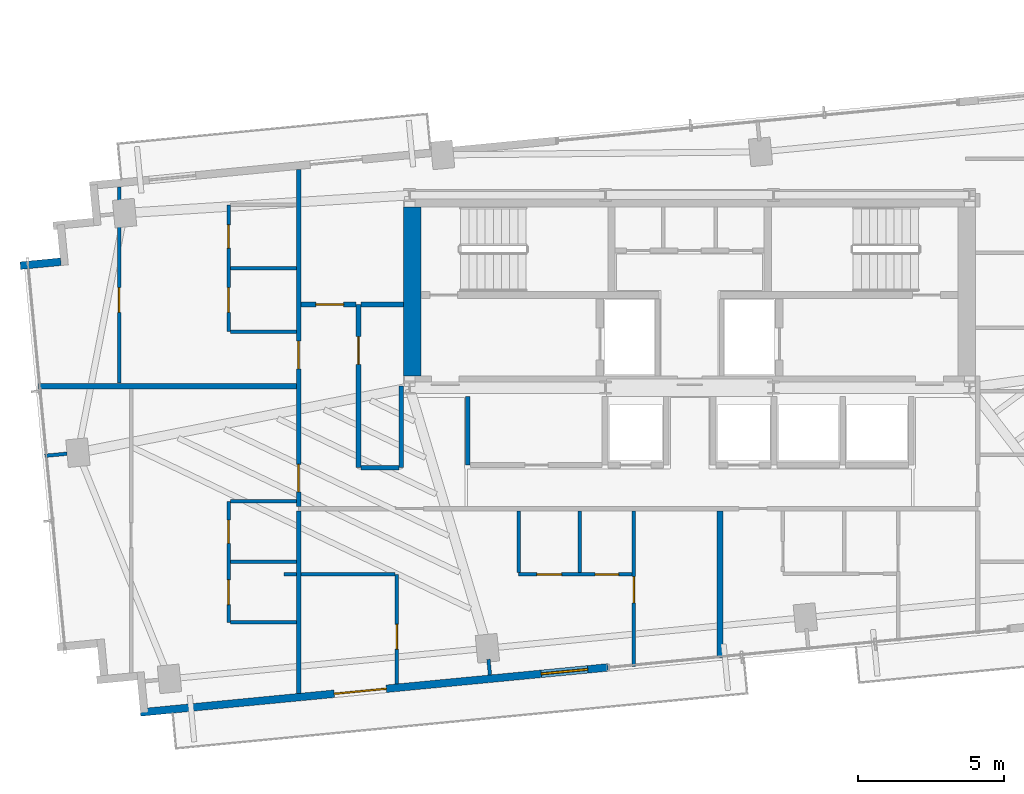
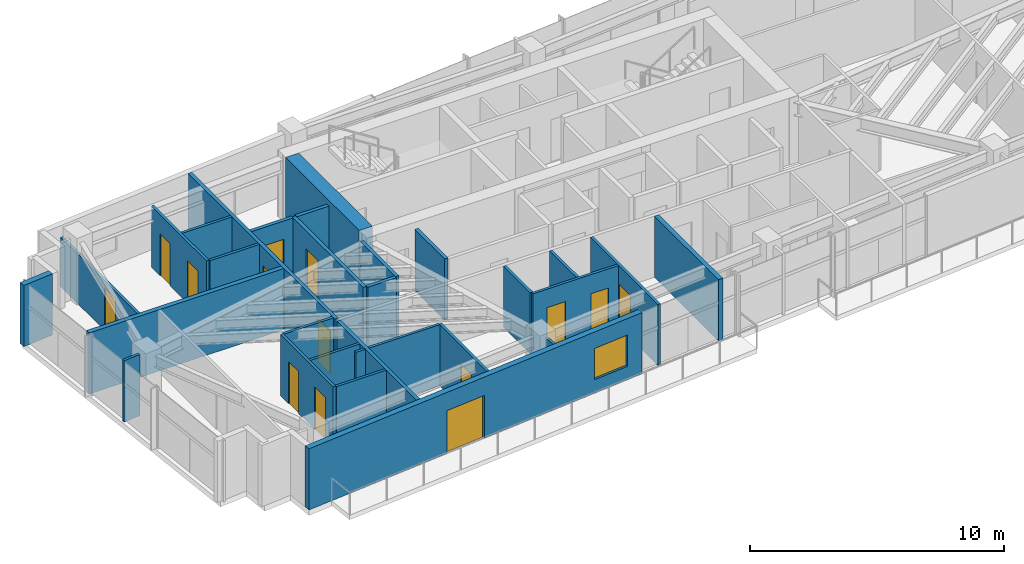
# One storey, part 13 of 18: 30 walls, 14 doors, 1 window, 15 openings.
"""IFC4 building model written with IfcOpenShell, lengths in metres."""

import ifcopenshell
import ifcopenshell.guid

model = None  # the IFC model being written
_history = None  # IfcOwnerHistory: only IFC2X3 demands one
_inside = {}  # id of a spatial element -> (the spatial element, [elements in it])
_under = {}  # id of a project, library or spatial element -> (it, [spatial elements below it])
_declared = {}  # id of a project -> (the project, [libraries it declares])
_typed = {}  # id of a type object -> (the type object, [elements of that type])
_made_of = {}  # id of a material, layer set ... -> (it, [elements and type objects made of it])


def new_model(schema):
    """Start an empty IFC model of exactly this schema.

    Asked for "IFC4X3", IfcOpenShell would pick the latest addendum, in which some entities
    have other attributes; the version numbers below select the first issue.
    IFC2X3 requires an IfcOwnerHistory on every rooted entity: one is made here for all.
    """
    global model, _history
    if schema == "IFC4X3":
        model = ifcopenshell.file(schema_version=(4, 3, 0, 0))
    else:
        model = ifcopenshell.file(schema=schema)
    _inside.clear()
    _under.clear()
    _declared.clear()
    _typed.clear()
    _made_of.clear()
    _history = None
    if model.schema == "IFC2X3":
        org = make("IfcOrganization", Name="unknown")
        user = make(
            "IfcPersonAndOrganization",
            ThePerson=make("IfcPerson", FamilyName="unknown"),
            TheOrganization=org,
        )
        app = make(
            "IfcApplication",
            ApplicationDeveloper=org,
            Version="unknown",
            ApplicationFullName="unknown",
            ApplicationIdentifier="unknown",
        )
        _history = make(
            "IfcOwnerHistory",
            OwningUser=user,
            OwningApplication=app,
            ChangeAction="ADDED",
            CreationDate=0,
        )
    return model


def make(cls, **values):
    """One entity of the class cls with the attributes given. An attribute that is None is left unset."""
    return model.create_entity(
        cls, **{name: value for name, value in values.items() if value is not None}
    )


def rooted(cls, **values):
    """An entity with a GlobalId (a new one), such as an element, a storey or a relation."""
    return make(cls, GlobalId=ifcopenshell.guid.new(), OwnerHistory=_history, **values)


def si_unit(unit_type, name, prefix=None):
    """IfcSIUnit, for example si_unit("LENGTHUNIT", "METRE", prefix="MILLI")."""
    return make("IfcSIUnit", UnitType=unit_type, Prefix=prefix, Name=name)


def assignment(units):
    """IfcUnitAssignment: the units of a project."""
    return None if units is None else make("IfcUnitAssignment", Units=units)


def point(xyz):
    """IfcCartesianPoint."""
    return None if xyz is None else make("IfcCartesianPoint", Coordinates=xyz)


def direction(xyz):
    """IfcDirection."""
    return None if xyz is None else make("IfcDirection", DirectionRatios=xyz)


def frame(location, z_axis=None, x_axis=None):
    """IfcAxis2Placement3D, a coordinate frame: its origin and axes. An axis left out is left unset."""
    return make(
        "IfcAxis2Placement3D",
        Location=point(location),
        Axis=direction(z_axis),
        RefDirection=direction(x_axis),
    )


def frame_2d(location, x_axis=None):
    """IfcAxis2Placement2D, a coordinate frame in the plane: its origin and x axis."""
    return make(
        "IfcAxis2Placement2D", Location=point(location), RefDirection=direction(x_axis)
    )


def origin():
    """The frame at (0, 0, 0) with its axes left unset."""
    return frame((0.0, 0.0, 0.0))


def place(relative_to, where):
    """IfcLocalPlacement: puts the frame where relative to a parent placement (None: the world)."""
    return make(
        "IfcLocalPlacement", PlacementRelTo=relative_to, RelativePlacement=where
    )


def context(
    kind, dimensions, precision=None, world=None, true_north=None, identifier=None
):
    """IfcGeometricRepresentationContext, for example the 3D "Model" context."""
    return make(
        "IfcGeometricRepresentationContext",
        ContextIdentifier=identifier,
        ContextType=kind,
        CoordinateSpaceDimension=dimensions,
        Precision=precision,
        WorldCoordinateSystem=world,
        TrueNorth=true_north,
    )


def subcontext(parent, identifier, kind, view, scale=None):
    """IfcGeometricRepresentationSubContext, for example "Body" below "Model"."""
    return make(
        "IfcGeometricRepresentationSubContext",
        ContextIdentifier=identifier,
        ContextType=kind,
        ParentContext=parent,
        TargetScale=scale,
        TargetView=view,
    )


def project(units=None, contexts=None):
    """IfcProject with its units and contexts."""
    return rooted(
        "IfcProject",
        Name="project",
        RepresentationContexts=contexts,
        UnitsInContext=assignment(units),
    )


def spatial(cls, under=None, at=None, **own):
    """A site, building, storey or space (cls), placed at a placement, below another one or the project."""
    s = rooted(cls, ObjectPlacement=at, **own)
    if under is not None:
        _under.setdefault(under.id(), (under, []))[1].append(s)
    return s


def profile(cls, at=None, kind="AREA", **sizes):
    """A parametric profile (cls). Its sizes go by their IFC names, for example OverallWidth=200.0."""
    return make(cls, ProfileType=kind, Position=at, **sizes)


def rectangle(**sizes):
    """IfcRectangleProfileDef."""
    return profile("IfcRectangleProfileDef", **sizes)


def extrude(swept, where, along, depth):
    """IfcExtrudedAreaSolid: the profile swept, set in the frame where, extruded along a direction by depth."""
    return make(
        "IfcExtrudedAreaSolid",
        SweptArea=swept,
        Position=where,
        ExtrudedDirection=direction(along),
        Depth=depth,
    )


def shape(context_of_items, identifier, shape_type, items):
    """IfcShapeRepresentation: the items that make up one representation, for example the "Body"."""
    return make(
        "IfcShapeRepresentation",
        ContextOfItems=context_of_items,
        RepresentationIdentifier=identifier,
        RepresentationType=shape_type,
        Items=items,
    )


def source(mapping_origin, context_of_items, identifier, shape_type, items):
    """IfcRepresentationMap: a shape defined once, which mapped items show again and again."""
    return make(
        "IfcRepresentationMap",
        MappingOrigin=mapping_origin,
        MappedRepresentation=shape(context_of_items, identifier, shape_type, items),
    )


def transform(
    local_origin,
    x_axis=None,
    y_axis=None,
    z_axis=None,
    scale=None,
    scale2=None,
    scale3=None,
    uniform=True,
):
    """IfcCartesianTransformationOperator3D, or its non-uniform kind. x_axis, y_axis, z_axis: its Axis1, 2, 3."""
    if uniform:
        return make(
            "IfcCartesianTransformationOperator3D",
            Axis1=direction(x_axis),
            Axis2=direction(y_axis),
            LocalOrigin=point(local_origin),
            Scale=scale,
            Axis3=direction(z_axis),
        )
    return make(
        "IfcCartesianTransformationOperator3DnonUniform",
        Axis1=direction(x_axis),
        Axis2=direction(y_axis),
        LocalOrigin=point(local_origin),
        Scale=scale,
        Axis3=direction(z_axis),
        Scale2=scale2,
        Scale3=scale3,
    )


def mapped(mapping_source, mapping_target):
    """IfcMappedItem: shows the shape of a source again, moved by a transform."""
    return make(
        "IfcMappedItem", MappingSource=mapping_source, MappingTarget=mapping_target
    )


def material(Name=None, Category=None):
    """IfcMaterial."""
    return make("IfcMaterial", Name=Name, Category=Category)


def layer(
    of_material, thickness, ventilated=None, Name=None, Category=None, Priority=None
):
    """IfcMaterialLayer: one layer of a wall or slab, of a material (None: an air gap)."""
    return make(
        "IfcMaterialLayer",
        Material=of_material,
        LayerThickness=thickness,
        IsVentilated=ventilated,
        Name=Name,
        Category=Category,
        Priority=Priority,
    )


def layer_set(layers, Name=None):
    """IfcMaterialLayerSet."""
    return make("IfcMaterialLayerSet", MaterialLayers=layers, LayerSetName=Name)


def made_of(thing, what):
    """Note that an element or type object is made of a material, layer set ...; save() writes the relation."""
    if what is not None:
        _made_of.setdefault(what.id(), (what, []))[1].append(thing)
    return thing


def type_object(cls, material=None, **own):
    """A type object (cls), such as IfcWallType, which elements share."""
    return made_of(rooted(cls, **own), material)


def type_shapes(of_type, sources):
    """Give a type object the sources (RepresentationMaps) that its elements show as mapped items."""
    of_type.RepresentationMaps = sources


def element(
    cls,
    number,
    at=None,
    inside=None,
    cuts=None,
    type_object=None,
    material=None,
    context=None,
    identifier="Body",
    shape_type=None,
    held_by="IfcProductDefinitionShape",
    body=None,
    shapes=None,
    **own,
):
    """One element of the class cls, such as IfcWall. Its Tag is "e" and its number.

    at: its placement. inside: the storey or other place that contains it. cuts: it is an
    opening in that element (IfcRelVoidsElement). A single representation is given by context,
    identifier, shape_type and body (its items); several are given by shapes. held_by: the class
    of the entity that holds the representations. save() writes the other relations.
    """
    e = rooted(cls, Tag="e%d" % number, ObjectPlacement=at, **own)
    if body is not None:
        shapes = [shape(context, identifier, shape_type, body)]
    if shapes is not None:
        e.Representation = make(held_by, Representations=shapes)
    if inside is not None:
        _inside.setdefault(inside.id(), (inside, []))[1].append(e)
    if cuts is not None:
        rooted(
            "IfcRelVoidsElement", RelatingBuildingElement=cuts, RelatedOpeningElement=e
        )
    if type_object is not None:
        _typed.setdefault(type_object.id(), (type_object, []))[1].append(e)
    return made_of(e, material)


def fill(opening, filler):
    """IfcRelFillsElement: the door or window that sits in an opening."""
    return rooted(
        "IfcRelFillsElement",
        RelatingOpeningElement=opening,
        RelatedBuildingElement=filler,
    )


def aggregate(whole, parts):
    """IfcRelAggregates: a whole, such as a stair, and the parts it consists of."""
    return rooted("IfcRelAggregates", RelatingObject=whole, RelatedObjects=parts)


def save(model, path):
    """Write the relations noted so far, then the file.

    IfcRelAggregates (storeys below a building ...), IfcRelContainedInSpatialStructure (elements
    in a storey), IfcRelDefinesByType, IfcRelAssociatesMaterial and IfcRelDeclares: one each for
    every whole, place, type object, material and project.
    """
    for whole, parts in _under.values():
        aggregate(whole, parts)
    for where, things in _inside.values():
        rooted(
            "IfcRelContainedInSpatialStructure",
            RelatedElements=things,
            RelatingStructure=where,
        )
    for kind, things in _typed.values():
        rooted("IfcRelDefinesByType", RelatedObjects=things, RelatingType=kind)
    for what, things in _made_of.values():
        rooted("IfcRelAssociatesMaterial", RelatedObjects=things, RelatingMaterial=what)
    for by, libraries in _declared.values():
        rooted("IfcRelDeclares", RelatingContext=by, RelatedDefinitions=libraries)
    model.write(path)


model = new_model("IFC4")

# Units and contexts
model_context = context("Model", 3, precision=1e-05, world=origin(), true_north=direction((0.0, 1.0)))
body_context = subcontext(model_context, "Body", "Model", "MODEL_VIEW")
ifc_project = project(units=[si_unit("LENGTHUNIT", "METRE"), si_unit("AREAUNIT", "SQUARE_METRE"), si_unit("VOLUMEUNIT", "CUBIC_METRE"), si_unit("PLANEANGLEUNIT", "RADIAN"), si_unit("MASSUNIT", "GRAM", prefix="KILO")], contexts=[model_context])

# Site, building, storey
site_placement = place(None, origin())
site = spatial("IfcSite", under=ifc_project, at=site_placement, CompositionType="ELEMENT")
building_placement = place(site_placement, origin())
building = spatial("IfcBuilding", under=site, at=building_placement, Name="Astriad Promenade Condominiums", CompositionType="ELEMENT")
storey_placement = place(building_placement, frame((0.0, 0.0, 179.39990234375)))
storey = spatial("IfcBuildingStorey", under=building, at=storey_placement, Name="L51", CompositionType="ELEMENT", Elevation=179.39990234375)

# Walls
ifc_material_1 = material(Name="Concrete C50/60", Category="concrete")
ifc_layer_1 = layer(ifc_material_1, 0.60009765625)
ifc_layer_set_1 = layer_set([ifc_layer_1], Name="Concrete C50/60")
wall_type_1 = type_object("IfcWallType", Name="CW-SHEAR-600", PredefinedType="SHEAR", material=ifc_layer_set_1)
wall_1_placement = place(storey_placement, frame((26.5, 17.802001953125, 0.0), z_axis=(0.0, 0.0, 1.0), x_axis=(0.0, 1.0, 0.0)))
element("IfcWall", 1, at=wall_1_placement, inside=storey, type_object=wall_type_1, Name="CW-CORE-W-L51", PredefinedType="SHEAR", context=body_context, shape_type="SweptSolid", body=[
    extrude(rectangle(XDim=5.7958984375, YDim=0.60009765625, at=frame_2d((2.89794921875, 0.0))), origin(), (0.0, 0.0, 1.0), 3.2001953125),
])
ifc_material_2 = material(Name="Fire-Rated Gypsum Partition")
ifc_layer_2 = layer(ifc_material_2, 0.159912109375)
ifc_layer_set_2 = layer_set([ifc_layer_2], Name="Fire-Rated Gypsum Partition")
wall_type_2 = type_object("IfcWallType", Name="WALL-CORR-160", PredefinedType="PARTITIONING", material=ifc_layer_set_2)
wall_2_placement = place(storey_placement, frame((28.39990234375, 14.75, 0.0), z_axis=(0.0, 0.0, 1.0), x_axis=(0.0, 1.0, 0.0)))
element("IfcWall", 2, at=wall_2_placement, inside=storey, type_object=wall_type_2, Name="REC-L-W-L51", PredefinedType="PARTITIONING", context=body_context, shape_type="SweptSolid", body=[
    extrude(rectangle(XDim=2.35009765625, YDim=0.159912109375, at=frame_2d((1.175048828125, 0.0))), origin(), (0.0, 0.0, 1.0), 2.940185546875),
])
wall_3_placement = place(storey_placement, frame((22.60009765625, 6.92236328125, 0.0), z_axis=(0.0, 0.0, 1.0), x_axis=(0.0, 1.0, 0.0)))
element("IfcWall", 3, at=wall_3_placement, inside=storey, type_object=wall_type_2, Name="PT-COR-W-L51", PredefinedType="PARTITIONING", context=body_context, shape_type="SweptSolid", body=[
    extrude(rectangle(XDim=6.24560546875, YDim=0.159912109375, at=frame_2d((3.122802734375, 0.0))), origin(), (0.0, 0.0, 1.0), 2.940185546875),
])

# Wall, openings, doors
wall_4_placement = place(storey_placement, frame((22.60009765625, 13.33203125, 0.0), z_axis=(0.0, 0.0, 1.0), x_axis=(0.0, 1.0, 0.0)))
wall_4 = element("IfcWall", 4, at=wall_4_placement, inside=storey, type_object=wall_type_2, Name="PT-COR-W-L51-S2", PredefinedType="PARTITIONING", context=body_context, shape_type="SweptSolid", body=[
    extrude(rectangle(XDim=11.548828125, YDim=0.159912109375, at=frame_2d((5.7744140625, 0.0))), origin(), (0.0, 0.0, 1.0), 2.940185546875),
])
opening_1_placement = place(wall_4_placement, frame((0.492919921875, 0.0, 0.0)))
opening_1 = element("IfcOpeningElement", 5, at=opening_1_placement, cuts=wall_4, Name="Opening FD60-APT-095", PredefinedType="OPENING", context=body_context, shape_type="SweptSolid", body=[
    extrude(rectangle(XDim=0.949951171875, YDim=2.06005859375, at=frame_2d((0.47509765625, 1.030029296875))), frame((0.0, 0.08984375, 0.0), z_axis=(0.0, -1.0, 0.0), x_axis=(1.0, 0.0, 0.0)), (0.0, 0.0, 1.0), 0.179931640625),
])
opening_2_placement = place(wall_4_placement, frame((4.712890625, 0.0, 0.0)))
opening_2 = element("IfcOpeningElement", 6, at=opening_2_placement, cuts=wall_4, Name="Opening FD60-APT-095", PredefinedType="OPENING", context=body_context, shape_type="SweptSolid", body=[
    extrude(rectangle(XDim=0.949951171875, YDim=2.06005859375, at=frame_2d((0.47509765625, 1.030029296875))), frame((0.0, 0.08984375, 0.0), z_axis=(0.0, -1.0, 0.0), x_axis=(1.0, 0.0, 0.0)), (0.0, 0.0, 1.0), 0.179931640625),
])
ifc_material_3 = material(Name="Solid-Core Acoustic Timber Residence Entry Door", Category="wood")
door_type_1 = type_object("IfcDoorType", Name="FD60-APT-095", OperationType="NOTDEFINED", PredefinedType="DOOR", material=ifc_material_3)
shared_shape_1 = source(origin(), body_context, "Body", "SweptSolid", [
    extrude(rectangle(XDim=0.949951171875, YDim=2.06005859375, at=frame_2d((0.47509765625, 1.030029296875))), frame((0.0, 0.02490234375, 0.0), z_axis=(0.0, -1.0, 0.0), x_axis=(1.0, 0.0, 0.0)), (0.0, 0.0, 1.0), 0.050048828125),
])
type_shapes(door_type_1, [shared_shape_1])
door_1_placement = place(opening_1_placement, origin())
door_1 = element("IfcDoor", 7, at=door_1_placement, inside=storey, type_object=door_type_1, Name="D-ENT-L51-W1", OperationType="SINGLE_SWING_RIGHT", OverallHeight=2.06005859375, OverallWidth=0.949951171875, PredefinedType="DOOR", context=body_context, shape_type="MappedRepresentation", body=[
    mapped(shared_shape_1, transform((0.0, 0.0, 0.0), scale=1.0)),
])
fill(opening_1, door_1)
door_2_placement = place(opening_2_placement, origin())
door_2 = element("IfcDoor", 8, at=door_2_placement, inside=storey, type_object=door_type_1, Name="D-ENT-L51-W2", OperationType="SINGLE_SWING_RIGHT", OverallHeight=2.06005859375, OverallWidth=0.949951171875, PredefinedType="DOOR", context=body_context, shape_type="MappedRepresentation", body=[
    mapped(shared_shape_1, transform((0.0, 0.0, 0.0), scale=1.0)),
])
fill(opening_2, door_2)

# Wall, opening, door
wall_5_placement = place(storey_placement, frame((24.64990234375, 14.659912109375, 0.0), z_axis=(0.0, 0.0, 1.0), x_axis=(0.0, 1.0, 0.0)))
wall_5 = element("IfcWall", 9, at=wall_5_placement, inside=storey, type_object=wall_type_2, Name="PT-HK-E-L51", PredefinedType="PARTITIONING", context=body_context, shape_type="SweptSolid", body=[
    extrude(rectangle(XDim=5.590087890625, YDim=0.159912109375, at=frame_2d((2.794921875, 0.0))), origin(), (0.0, 0.0, 1.0), 2.940185546875),
])
opening_3_placement = place(wall_5_placement, frame((3.5400390625, 0.0, 0.0)))
opening_3 = element("IfcOpeningElement", 10, at=opening_3_placement, cuts=wall_5, Name="Opening FD60-APT-095", PredefinedType="OPENING", context=body_context, shape_type="SweptSolid", body=[
    extrude(rectangle(XDim=0.949951171875, YDim=2.06005859375, at=frame_2d((0.47509765625, 1.030029296875))), frame((0.0, 0.08984375, 0.0), z_axis=(0.0, -1.0, 0.0), x_axis=(1.0, 0.0, 0.0)), (0.0, 0.0, 1.0), 0.179931640625),
])
door_3_placement = place(opening_3_placement, origin())
door_3 = element("IfcDoor", 11, at=door_3_placement, inside=storey, type_object=door_type_1, Name="D-HKA-L51", OperationType="SINGLE_SWING_LEFT", OverallHeight=2.06005859375, OverallWidth=0.949951171875, PredefinedType="DOOR", context=body_context, shape_type="MappedRepresentation", body=[
    mapped(shared_shape_1, transform((0.0, 0.0, 0.0), scale=1.0)),
])
fill(opening_3, door_3)

wall_6_placement = place(storey_placement, frame((22.681884765625, 20.25, 0.0), z_axis=(0.0, 0.0, 1.0), x_axis=(1.0, 0.0, 0.0)))
wall_6 = element("IfcWall", 12, at=wall_6_placement, inside=storey, type_object=wall_type_2, Name="PT-HK-N-L51", PredefinedType="PARTITIONING", context=body_context, shape_type="SweptSolid", body=[
    extrude(rectangle(XDim=1.88623046875, YDim=0.159912109375, at=frame_2d((0.943115234375, 0.0))), origin(), (0.0, 0.0, 1.0), 2.940185546875),
])
opening_4_placement = place(wall_6_placement, frame((0.508056640625, 0.0, 0.0)))
opening_4 = element("IfcOpeningElement", 13, at=opening_4_placement, cuts=wall_6, Name="Opening FD60-APT-095", PredefinedType="OPENING", context=body_context, shape_type="SweptSolid", body=[
    extrude(rectangle(XDim=0.949951171875, YDim=2.06005859375, at=frame_2d((0.47509765625, 1.030029296875))), frame((0.0, 0.08984375, 0.0), z_axis=(0.0, -1.0, 0.0), x_axis=(1.0, 0.0, 0.0)), (0.0, 0.0, 1.0), 0.179931640625),
])
door_4_placement = place(opening_4_placement, origin())
door_4 = element("IfcDoor", 14, at=door_4_placement, inside=storey, type_object=door_type_1, Name="D-HKB-L51", OperationType="SINGLE_SWING_RIGHT", OverallHeight=2.06005859375, OverallWidth=0.949951171875, PredefinedType="DOOR", context=body_context, shape_type="MappedRepresentation", body=[
    mapped(shared_shape_1, transform((0.0, 0.0, 0.0), scale=1.0)),
])
fill(opening_4, door_4)

# Walls
wall_7_placement = place(storey_placement, frame((24.73193359375, 20.25, 0.0), z_axis=(0.0, 0.0, 1.0), x_axis=(1.0, 0.0, 0.0)))
element("IfcWall", 15, at=wall_7_placement, inside=storey, type_object=wall_type_2, Name="PT-HK-N-L51-S2", PredefinedType="PARTITIONING", context=body_context, shape_type="SweptSolid", body=[
    extrude(rectangle(XDim=1.466064453125, YDim=0.159912109375, at=frame_2d((0.73291015625, 0.0))), origin(), (0.0, 0.0, 1.0), 2.940185546875),
])
wall_8_placement = place(storey_placement, frame((26.1201171875, 14.659912109375, 0.0), z_axis=(0.0, 0.0, 1.0), x_axis=(0.0, 1.0, 0.0)))
element("IfcWall", 16, at=wall_8_placement, inside=storey, type_object=wall_type_2, Name="PT-WSPUR-W-L51", PredefinedType="PARTITIONING", context=body_context, shape_type="SweptSolid", body=[
    extrude(rectangle(XDim=2.7900390625, YDim=0.159912109375, at=frame_2d((1.39501953125, 0.0))), origin(), (0.0, 0.0, 1.0), 2.940185546875),
])
wall_9_placement = place(storey_placement, frame((24.73193359375, 14.659912109375, 0.0), z_axis=(0.0, 0.0, 1.0), x_axis=(1.0, 0.0, 0.0)))
element("IfcWall", 17, at=wall_9_placement, inside=storey, type_object=wall_type_2, Name="PT-HK-S-L51", PredefinedType="PARTITIONING", context=body_context, shape_type="SweptSolid", body=[
    extrude(rectangle(XDim=1.30615234375, YDim=0.159912109375, at=frame_2d((0.653076171875, 0.0))), origin(), (0.0, 0.0, 1.0), 2.940185546875),
])
ifc_material_4 = material(Name="Acoustic Double-Stud Gypsum Partition")
ifc_layer_3 = layer(ifc_material_4, 0.199951171875)
ifc_layer_set_3 = layer_set([ifc_layer_3], Name="Acoustic Double-Stud Gypsum Partition")
wall_type_3 = type_object("IfcWallType", Name="WALL-DEMISING-200", PredefinedType="PARTITIONING", material=ifc_layer_set_3)
wall_10_placement = place(storey_placement, frame((37.041015625, 8.1298828125, 0.0), z_axis=(0.0, 0.0, 1.0), x_axis=(0.0, 1.0, 0.0)))
element("IfcWall", 18, at=wall_10_placement, inside=storey, type_object=wall_type_3, Name="PT-DEM-S1-L51", PredefinedType="PARTITIONING", context=body_context, shape_type="SweptSolid", body=[
    extrude(rectangle(XDim=5.0380859375, YDim=0.199951171875, at=frame_2d((2.51904296875, 0.0))), origin(), (0.0, 0.0, 1.0), 2.940185546875),
])
wall_11_placement = place(storey_placement, frame((13.667236328125, 17.449951171875, 0.0), z_axis=(0.0, 0.0, 1.0), x_axis=(1.0, 0.0, 0.0)))
element("IfcWall", 19, at=wall_11_placement, inside=storey, type_object=wall_type_3, Name="PT-DEM-WW-L51", PredefinedType="PARTITIONING", context=body_context, shape_type="SweptSolid", body=[
    extrude(rectangle(XDim=8.850830078125, YDim=0.199951171875, at=frame_2d((4.42529296875, 0.0))), origin(), (0.0, 0.0, 1.0), 2.940185546875),
])
ifc_material_5 = material(Name="Precast concrete C50/60", Category="concrete")
ifc_layer_4 = layer(ifc_material_5, 0.260009765625)
ifc_layer_set_4 = layer_set([ifc_layer_4], Name="Precast concrete C50/60")
wall_type_4 = type_object("IfcWallType", Name="WALL-EXT-TWR-260", PredefinedType="STANDARD", material=ifc_layer_set_4)
wall_12_placement = place(storey_placement, frame((13.058349609375, 21.583251953125, 0.0), z_axis=(0.0, 0.0, 1.0), x_axis=(0.99540774648, 0.095725744959, 0.0)))
element("IfcWall", 20, at=wall_12_placement, inside=storey, type_object=wall_type_4, Name="W-SER-L51-04", PredefinedType="STANDARD", context=body_context, shape_type="SweptSolid", body=[
    extrude(rectangle(XDim=1.39501953125, YDim=0.260009765625, at=frame_2d((0.697509765625, 0.0))), origin(), (0.0, 0.0, 1.0), 2.940185546875),
])

# Wall, openings, door, window
wall_13_placement = place(storey_placement, frame((33.201171875, 7.810302734375, 0.0), z_axis=(0.0, 0.0, 1.0), x_axis=(-0.995397074604, -0.095836652014, 0.0)))
wall_13 = element("IfcWall", 21, at=wall_13_placement, inside=storey, type_object=wall_type_4, Name="W-EXT-L51-S2", PredefinedType="STANDARD", context=body_context, shape_type="SweptSolid", body=[
    extrude(rectangle(XDim=16.10009765625, YDim=0.260009765625, at=frame_2d((8.050048828125, 0.0))), origin(), (0.0, 0.0, 1.0), 2.940185546875),
])
opening_5_placement = place(wall_13_placement, frame((7.6298828125, 0.0, 0.0)))
opening_5 = element("IfcOpeningElement", 22, at=opening_5_placement, cuts=wall_13, Name="Opening BD-1822-SLD", PredefinedType="OPENING", context=body_context, shape_type="SweptSolid", body=[
    extrude(rectangle(XDim=1.800048828125, YDim=2.06005859375, at=frame_2d((0.89990234375, 1.030029296875))), frame((0.0, 0.139892578125, 0.0), z_axis=(0.0, -1.0, 0.0), x_axis=(1.0, 0.0, 0.0)), (0.0, 0.0, 1.0), 0.280029296875),
])
opening_6_placement = place(wall_13_placement, frame((0.699951171875, 0.0, 0.64990234375)))
opening_6 = element("IfcOpeningElement", 23, at=opening_6_placement, cuts=wall_13, Name="Opening WIN-TWR-1620", PredefinedType="OPENING", context=body_context, shape_type="SweptSolid", body=[
    extrude(rectangle(XDim=1.60009765625, YDim=1.5, at=frame_2d((0.800048828125, 0.75))), frame((0.0, 0.139892578125, 0.0), z_axis=(0.0, -1.0, 0.0), x_axis=(1.0, 0.0, 0.0)), (0.0, 0.0, 1.0), 0.280029296875),
])
ifc_material_6 = material(Name="Thermally Broken Aluminium Sliding Balcony Door", Category="aluminium")
door_type_2 = type_object("IfcDoorType", Name="BD-1822-SLD", OperationType="NOTDEFINED", PredefinedType="DOOR", material=ifc_material_6)
shared_shape_2 = source(origin(), body_context, "Body", "SweptSolid", [
    extrude(rectangle(XDim=1.800048828125, YDim=2.06005859375, at=frame_2d((0.89990234375, 1.030029296875))), frame((0.0, 0.02490234375, 0.0), z_axis=(0.0, -1.0, 0.0), x_axis=(1.0, 0.0, 0.0)), (0.0, 0.0, 1.0), 0.050048828125),
])
type_shapes(door_type_2, [shared_shape_2])
door_5_placement = place(opening_5_placement, origin())
door_5 = element("IfcDoor", 24, at=door_5_placement, inside=storey, type_object=door_type_2, Name="BD-L51-SW", OperationType="SLIDING_TO_LEFT", OverallHeight=2.06005859375, OverallWidth=1.800048828125, PredefinedType="DOOR", context=body_context, shape_type="MappedRepresentation", body=[
    mapped(shared_shape_2, transform((0.0, 0.0, 0.0), scale=1.0)),
])
fill(opening_5, door_5)
ifc_material_7 = material(Name="Dark Tinted Triple-Glazed Aluminium Window", Category="aluminium")
window_type = type_object("IfcWindowType", Name="WIN-TWR-1620", PartitioningType="SINGLE_PANEL", PredefinedType="WINDOW", material=ifc_material_7)
shared_shape_3 = source(origin(), body_context, "Body", "SweptSolid", [
    extrude(rectangle(XDim=1.60009765625, YDim=1.5, at=frame_2d((0.800048828125, 0.75))), frame((0.0, 0.030029296875, 0.0), z_axis=(0.0, -1.0, 0.0), x_axis=(1.0, 0.0, 0.0)), (0.0, 0.0, 1.0), 0.06005859375),
])
type_shapes(window_type, [shared_shape_3])
window_placement = place(opening_6_placement, origin())
window = element("IfcWindow", 25, at=window_placement, inside=storey, type_object=window_type, Name="WIN-L51-SW", OverallHeight=1.5, OverallWidth=1.60009765625, PartitioningType="SINGLE_PANEL", PredefinedType="WINDOW", context=body_context, shape_type="MappedRepresentation", body=[
    mapped(shared_shape_3, transform((0.0, 0.0, 0.0), scale=1.0)),
])
fill(opening_6, window)

# Wall, opening, door
ifc_material_8 = material(Name="Acoustic Metal-Stud Gypsum Partition")
ifc_layer_5 = layer(ifc_material_8, 0.1201171875)
ifc_layer_set_5 = layer_set([ifc_layer_5], Name="Acoustic Metal-Stud Gypsum Partition")
wall_type_5 = type_object("IfcWallType", Name="WALL-PART-120", PredefinedType="PARTITIONING", material=ifc_layer_set_5)
wall_14_placement = place(storey_placement, frame((34.091064453125, 7.845947265625, 0.0), z_axis=(0.0, 0.0, 1.0), x_axis=(0.0, 1.0, 0.0)))
wall_14 = element("IfcWall", 26, at=wall_14_placement, inside=storey, type_object=wall_type_5, Name="PT-L51-S1-BD1", PredefinedType="PARTITIONING", context=body_context, shape_type="SweptSolid", body=[
    extrude(rectangle(XDim=5.322021484375, YDim=0.1201171875, at=frame_2d((2.6611328125, 0.0))), origin(), (0.0, 0.0, 1.0), 2.940185546875),
])
opening_7_placement = place(wall_14_placement, frame((2.176025390625, 0.0, 0.0)))
opening_7 = element("IfcOpeningElement", 27, at=opening_7_placement, cuts=wall_14, Name="Opening D-INT-090", PredefinedType="OPENING", context=body_context, shape_type="SweptSolid", body=[
    extrude(rectangle(XDim=0.89990234375, YDim=2.050048828125, at=frame_2d((0.449951171875, 1.02490234375))), frame((0.0, 0.070068359375, 0.0), z_axis=(0.0, -1.0, 0.0), x_axis=(1.0, 0.0, 0.0)), (0.0, 0.0, 1.0), 0.14013671875),
])
ifc_material_9 = material(Name="Painted Solid-Core Timber Bedroom Door", Category="wood")
door_type_3 = type_object("IfcDoorType", Name="D-INT-090", OperationType="NOTDEFINED", PredefinedType="DOOR", material=ifc_material_9)
shared_shape_4 = source(origin(), body_context, "Body", "SweptSolid", [
    extrude(rectangle(XDim=0.89990234375, YDim=2.050048828125, at=frame_2d((0.449951171875, 1.02490234375))), frame((0.0, 0.02490234375, 0.0), z_axis=(0.0, -1.0, 0.0), x_axis=(1.0, 0.0, 0.0)), (0.0, 0.0, 1.0), 0.050048828125),
])
type_shapes(door_type_3, [shared_shape_4])
door_6_placement = place(opening_7_placement, origin())
door_6 = element("IfcDoor", 28, at=door_6_placement, inside=storey, type_object=door_type_3, Name="D-BD1-L51-S1", OperationType="SINGLE_SWING_LEFT", OverallHeight=2.050048828125, OverallWidth=0.89990234375, PredefinedType="DOOR", context=body_context, shape_type="MappedRepresentation", body=[
    mapped(shared_shape_4, transform((0.0, 0.0, 0.0), scale=1.0)),
])
fill(opening_7, door_6)

# Wall, openings, doors
wall_15_placement = place(storey_placement, frame((30.14111328125, 11.0, 0.0), z_axis=(0.0, 0.0, 1.0), x_axis=(1.0, 0.0, 0.0)))
wall_15 = element("IfcWall", 29, at=wall_15_placement, inside=storey, type_object=wall_type_5, Name="PT-L51-S1-PS", PredefinedType="PARTITIONING", context=body_context, shape_type="SweptSolid", body=[
    extrude(rectangle(XDim=3.887939453125, YDim=0.1201171875, at=frame_2d((1.94384765625, 0.0))), origin(), (0.0, 0.0, 1.0), 2.940185546875),
])
opening_8_placement = place(wall_15_placement, frame((0.625, 0.0, 0.0)))
opening_8 = element("IfcOpeningElement", 30, at=opening_8_placement, cuts=wall_15, Name="Opening D-INT-085", PredefinedType="OPENING", context=body_context, shape_type="SweptSolid", body=[
    extrude(rectangle(XDim=0.85009765625, YDim=2.050048828125, at=frame_2d((0.425048828125, 1.02490234375))), frame((0.0, 0.070068359375, 0.0), z_axis=(0.0, -1.0, 0.0), x_axis=(1.0, 0.0, 0.0)), (0.0, 0.0, 1.0), 0.14013671875),
])
opening_9_placement = place(wall_15_placement, frame((2.625, 0.0, 0.0)))
opening_9 = element("IfcOpeningElement", 31, at=opening_9_placement, cuts=wall_15, Name="Opening D-WET-080", PredefinedType="OPENING", context=body_context, shape_type="SweptSolid", body=[
    extrude(rectangle(XDim=0.800048828125, YDim=2.02001953125, at=frame_2d((0.39990234375, 1.010009765625))), frame((0.0, 0.070068359375, 0.0), z_axis=(0.0, -1.0, 0.0), x_axis=(1.0, 0.0, 0.0)), (0.0, 0.0, 1.0), 0.14013671875),
])
ifc_material_10 = material(Name="Moisture-Resistant Timber Bathroom Door", Category="wood")
door_type_4 = type_object("IfcDoorType", Name="D-WET-080", OperationType="NOTDEFINED", PredefinedType="DOOR", material=ifc_material_10)
shared_shape_5 = source(origin(), body_context, "Body", "SweptSolid", [
    extrude(rectangle(XDim=0.800048828125, YDim=2.02001953125, at=frame_2d((0.39990234375, 1.010009765625))), frame((0.0, 0.02490234375, 0.0), z_axis=(0.0, -1.0, 0.0), x_axis=(1.0, 0.0, 0.0)), (0.0, 0.0, 1.0), 0.050048828125),
])
type_shapes(door_type_4, [shared_shape_5])
door_7_placement = place(opening_9_placement, origin())
door_7 = element("IfcDoor", 32, at=door_7_placement, inside=storey, type_object=door_type_4, Name="D-BTH-L51-S1", OperationType="SINGLE_SWING_LEFT", OverallHeight=2.02001953125, OverallWidth=0.800048828125, PredefinedType="DOOR", context=body_context, shape_type="MappedRepresentation", body=[
    mapped(shared_shape_5, transform((0.0, 0.0, 0.0), scale=1.0)),
])
fill(opening_9, door_7)
ifc_material_11 = material(Name="Painted Solid-Core Timber Room Door", Category="wood")
door_type_5 = type_object("IfcDoorType", Name="D-INT-085", OperationType="NOTDEFINED", PredefinedType="DOOR", material=ifc_material_11)
shared_shape_6 = source(origin(), body_context, "Body", "SweptSolid", [
    extrude(rectangle(XDim=0.85009765625, YDim=2.050048828125, at=frame_2d((0.425048828125, 1.02490234375))), frame((0.0, 0.02490234375, 0.0), z_axis=(0.0, -1.0, 0.0), x_axis=(1.0, 0.0, 0.0)), (0.0, 0.0, 1.0), 0.050048828125),
])
type_shapes(door_type_5, [shared_shape_6])
door_8_placement = place(opening_8_placement, origin())
door_8 = element("IfcDoor", 33, at=door_8_placement, inside=storey, type_object=door_type_5, Name="D-KIT-L51-S1", OperationType="SINGLE_SWING_RIGHT", OverallHeight=2.050048828125, OverallWidth=0.85009765625, PredefinedType="DOOR", context=body_context, shape_type="MappedRepresentation", body=[
    mapped(shared_shape_6, transform((0.0, 0.0, 0.0), scale=1.0)),
])
fill(opening_8, door_8)

# Walls
for number, where, z_axis, x_axis, name in (
    (34, (32.240966796875, 11.06201171875, 0.0), (0.0, 0.0, 1.0), (0.0, 1.0, 0.0), "PT-L51-S1-PBK"),
    (35, (30.14111328125, 11.06201171875, 0.0), (0.0, 0.0, 1.0), (0.0, 1.0, 0.0), "PT-L51-S1-PKW"),
):
    element("IfcWall", number, at=place(storey_placement, frame(where, z_axis=z_axis, x_axis=x_axis)), inside=storey, type_object=wall_type_5, Name=name, PredefinedType="PARTITIONING", context=body_context, shape_type="SweptSolid", body=[
        extrude(rectangle(XDim=2.10595703125, YDim=0.1201171875, at=frame_2d((1.052978515625, 0.0))), origin(), (0.0, 0.0, 1.0), 2.940185546875),
    ])

# Wall, opening, door
wall_16_placement = place(storey_placement, frame((25.962890625, 7.24609375, 0.0), z_axis=(0.0, 0.0, 1.0), x_axis=(0.0, 1.0, 0.0)))
wall_16 = element("IfcWall", 36, at=wall_16_placement, inside=storey, type_object=wall_type_5, Name="PT-L51-S1-EXV", PredefinedType="PARTITIONING", context=body_context, shape_type="SweptSolid", body=[
    extrude(rectangle(XDim=3.75390625, YDim=0.1201171875, at=frame_2d((1.876953125, 0.0))), origin(), (0.0, 0.0, 1.0), 2.940185546875),
])
opening_10_placement = place(wall_16_placement, frame((1.19287109375, 0.0, 0.0)))
opening_10 = element("IfcOpeningElement", 37, at=opening_10_placement, cuts=wall_16, Name="Opening D-INT-085", PredefinedType="OPENING", context=body_context, shape_type="SweptSolid", body=[
    extrude(rectangle(XDim=0.85009765625, YDim=2.050048828125, at=frame_2d((0.425048828125, 1.02490234375))), frame((0.0, 0.070068359375, 0.0), z_axis=(0.0, -1.0, 0.0), x_axis=(1.0, 0.0, 0.0)), (0.0, 0.0, 1.0), 0.14013671875),
])
door_9_placement = place(opening_10_placement, origin())
door_9 = element("IfcDoor", 38, at=door_9_placement, inside=storey, type_object=door_type_5, Name="D-EX-L51-S1", OperationType="SINGLE_SWING_LEFT", OverallHeight=2.050048828125, OverallWidth=0.85009765625, PredefinedType="DOOR", context=body_context, shape_type="MappedRepresentation", body=[
    mapped(shared_shape_6, transform((0.0, 0.0, 0.0), scale=1.0)),
])
fill(opening_10, door_9)

# Walls
wall_17_placement = place(storey_placement, frame((22.10009765625, 11.0, 0.0), z_axis=(0.0, 0.0, 1.0), x_axis=(1.0, 0.0, 0.0)))
element("IfcWall", 39, at=wall_17_placement, inside=storey, type_object=wall_type_5, Name="PT-L51-S1-EXH", PredefinedType="PARTITIONING", context=body_context, shape_type="SweptSolid", body=[
    extrude(rectangle(XDim=0.41796875, YDim=0.1201171875, at=frame_2d((0.208984375, 0.0))), origin(), (0.0, 0.0, 1.0), 2.940185546875),
])
wall_18_placement = place(storey_placement, frame((22.681884765625, 11.0, 0.0), z_axis=(0.0, 0.0, 1.0), x_axis=(1.0, 0.0, 0.0)))
element("IfcWall", 40, at=wall_18_placement, inside=storey, type_object=wall_type_5, Name="PT-L51-S1-EXH-S2", PredefinedType="PARTITIONING", context=body_context, shape_type="SweptSolid", body=[
    extrude(rectangle(XDim=3.218994140625, YDim=0.1201171875, at=frame_2d((1.609375, 0.0))), origin(), (0.0, 0.0, 1.0), 2.940185546875),
])

# Wall, openings, doors
wall_19_placement = place(storey_placement, frame((20.199951171875, 9.35009765625, 0.0), z_axis=(0.0, 0.0, 1.0), x_axis=(0.0, 1.0, 0.0)))
wall_19 = element("IfcWall", 41, at=wall_19_placement, inside=storey, type_object=wall_type_5, Name="PT-L51-W1-PV", PredefinedType="PARTITIONING", context=body_context, shape_type="SweptSolid", body=[
    extrude(rectangle(XDim=4.14990234375, YDim=0.1201171875, at=frame_2d((2.074951171875, 0.0))), origin(), (0.0, 0.0, 1.0), 2.940185546875),
])
opening_11_placement = place(wall_19_placement, frame((0.612060546875, 0.0, 0.0)))
opening_11 = element("IfcOpeningElement", 42, at=opening_11_placement, cuts=wall_19, Name="Opening D-INT-085", PredefinedType="OPENING", context=body_context, shape_type="SweptSolid", body=[
    extrude(rectangle(XDim=0.85009765625, YDim=2.050048828125, at=frame_2d((0.425048828125, 1.02490234375))), frame((0.0, 0.070068359375, 0.0), z_axis=(0.0, -1.0, 0.0), x_axis=(1.0, 0.0, 0.0)), (0.0, 0.0, 1.0), 0.14013671875),
])
opening_12_placement = place(wall_19_placement, frame((2.712890625, 0.0, 0.0)))
opening_12 = element("IfcOpeningElement", 43, at=opening_12_placement, cuts=wall_19, Name="Opening D-WET-080", PredefinedType="OPENING", context=body_context, shape_type="SweptSolid", body=[
    extrude(rectangle(XDim=0.800048828125, YDim=2.02001953125, at=frame_2d((0.39990234375, 1.010009765625))), frame((0.0, 0.070068359375, 0.0), z_axis=(0.0, -1.0, 0.0), x_axis=(1.0, 0.0, 0.0)), (0.0, 0.0, 1.0), 0.14013671875),
])
door_10_placement = place(opening_12_placement, origin())
door_10 = element("IfcDoor", 44, at=door_10_placement, inside=storey, type_object=door_type_4, Name="D-BTH-L51-W1", OperationType="SINGLE_SWING_RIGHT", OverallHeight=2.02001953125, OverallWidth=0.800048828125, PredefinedType="DOOR", context=body_context, shape_type="MappedRepresentation", body=[
    mapped(shared_shape_5, transform((0.0, 0.0, 0.0), scale=1.0)),
])
fill(opening_12, door_10)
door_11_placement = place(opening_11_placement, origin())
door_11 = element("IfcDoor", 45, at=door_11_placement, inside=storey, type_object=door_type_5, Name="D-KIT-L51-W1", OperationType="SINGLE_SWING_LEFT", OverallHeight=2.050048828125, OverallWidth=0.85009765625, PredefinedType="DOOR", context=body_context, shape_type="MappedRepresentation", body=[
    mapped(shared_shape_6, transform((0.0, 0.0, 0.0), scale=1.0)),
])
fill(opening_11, door_11)

# Walls
for number, where, z_axis, x_axis, name in (
    (46, (20.261962890625, 11.425048828125, 0.0), (0.0, 0.0, 1.0), (1.0, 0.0, 0.0), "PT-L51-W1-PM"),
    (47, (20.261962890625, 9.35009765625, 0.0), (0.0, 0.0, 1.0), (1.0, 0.0, 0.0), "PT-L51-W1-PS"),
    (48, (20.261962890625, 13.5, 0.0), (0.0, 0.0, 1.0), (1.0, 0.0, 0.0), "PT-L51-W1-PN"),
):
    element("IfcWall", number, at=place(storey_placement, frame(where, z_axis=z_axis, x_axis=x_axis)), inside=storey, type_object=wall_type_5, Name=name, PredefinedType="PARTITIONING", context=body_context, shape_type="SweptSolid", body=[
        extrude(rectangle(XDim=2.256103515625, YDim=0.1201171875, at=frame_2d((1.1279296875, 0.0))), origin(), (0.0, 0.0, 1.0), 2.940185546875),
    ])

# Wall, openings, doors
wall_20_placement = place(storey_placement, frame((20.199951171875, 19.320068359375, 0.0), z_axis=(0.0, 0.0, 1.0), x_axis=(0.0, 1.0, 0.0)))
wall_20 = element("IfcWall", 49, at=wall_20_placement, inside=storey, type_object=wall_type_5, Name="PT-L51-W2-PV", PredefinedType="PARTITIONING", context=body_context, shape_type="SweptSolid", body=[
    extrude(rectangle(XDim=4.349853515625, YDim=0.1201171875, at=frame_2d((2.1748046875, 0.0))), origin(), (0.0, 0.0, 1.0), 2.940185546875),
])
opening_13_placement = place(wall_20_placement, frame((0.662109375, 0.0, 0.0)))
opening_13 = element("IfcOpeningElement", 50, at=opening_13_placement, cuts=wall_20, Name="Opening D-INT-085", PredefinedType="OPENING", context=body_context, shape_type="SweptSolid", body=[
    extrude(rectangle(XDim=0.85009765625, YDim=2.050048828125, at=frame_2d((0.425048828125, 1.02490234375))), frame((0.0, 0.070068359375, 0.0), z_axis=(0.0, -1.0, 0.0), x_axis=(1.0, 0.0, 0.0)), (0.0, 0.0, 1.0), 0.14013671875),
])
opening_14_placement = place(wall_20_placement, frame((2.863037109375, 0.0, 0.0)))
opening_14 = element("IfcOpeningElement", 51, at=opening_14_placement, cuts=wall_20, Name="Opening D-WET-080", PredefinedType="OPENING", context=body_context, shape_type="SweptSolid", body=[
    extrude(rectangle(XDim=0.800048828125, YDim=2.02001953125, at=frame_2d((0.39990234375, 1.010009765625))), frame((0.0, 0.070068359375, 0.0), z_axis=(0.0, -1.0, 0.0), x_axis=(1.0, 0.0, 0.0)), (0.0, 0.0, 1.0), 0.14013671875),
])
door_12_placement = place(opening_14_placement, origin())
door_12 = element("IfcDoor", 52, at=door_12_placement, inside=storey, type_object=door_type_4, Name="D-BTH-L51-W2", OperationType="SINGLE_SWING_RIGHT", OverallHeight=2.02001953125, OverallWidth=0.800048828125, PredefinedType="DOOR", context=body_context, shape_type="MappedRepresentation", body=[
    mapped(shared_shape_5, transform((0.0, 0.0, 0.0), scale=1.0)),
])
fill(opening_14, door_12)
door_13_placement = place(opening_13_placement, origin())
door_13 = element("IfcDoor", 53, at=door_13_placement, inside=storey, type_object=door_type_5, Name="D-KIT-L51-W2", OperationType="SINGLE_SWING_LEFT", OverallHeight=2.050048828125, OverallWidth=0.85009765625, PredefinedType="DOOR", context=body_context, shape_type="MappedRepresentation", body=[
    mapped(shared_shape_6, transform((0.0, 0.0, 0.0), scale=1.0)),
])
fill(opening_13, door_13)

# Walls
for number, where, z_axis, x_axis, name in (
    (54, (20.261962890625, 21.4951171875, 0.0), (0.0, 0.0, 1.0), (1.0, 0.0, 0.0), "PT-L51-W2-PM"),
    (55, (20.261962890625, 19.320068359375, 0.0), (0.0, 0.0, 1.0), (1.0, 0.0, 0.0), "PT-L51-W2-PS"),
):
    element("IfcWall", number, at=place(storey_placement, frame(where, z_axis=z_axis, x_axis=x_axis)), inside=storey, type_object=wall_type_5, Name=name, PredefinedType="PARTITIONING", context=body_context, shape_type="SweptSolid", body=[
        extrude(rectangle(XDim=2.256103515625, YDim=0.1201171875, at=frame_2d((1.1279296875, 0.0))), origin(), (0.0, 0.0, 1.0), 2.940185546875),
    ])

# Wall, opening, door
wall_21_placement = place(storey_placement, frame((16.44091796875, 17.552001953125, 0.0), z_axis=(0.0, 0.0, 1.0), x_axis=(0.0, 1.0, 0.0)))
wall_21 = element("IfcWall", 56, at=wall_21_placement, inside=storey, type_object=wall_type_5, Name="PT-L51-W2-B1", PredefinedType="PARTITIONING", context=body_context, shape_type="SweptSolid", body=[
    extrude(rectangle(XDim=6.73583984375, YDim=0.1201171875, at=frame_2d((3.367919921875, 0.0))), origin(), (0.0, 0.0, 1.0), 2.382568359375),
])
opening_15_placement = place(wall_21_placement, frame((2.429931640625, 0.0, 0.0)))
opening_15 = element("IfcOpeningElement", 57, at=opening_15_placement, cuts=wall_21, Name="Opening D-INT-085", PredefinedType="OPENING", context=body_context, shape_type="SweptSolid", body=[
    extrude(rectangle(XDim=0.85009765625, YDim=2.050048828125, at=frame_2d((0.425048828125, 1.02490234375))), frame((0.0, 0.070068359375, 0.0), z_axis=(0.0, -1.0, 0.0), x_axis=(1.0, 0.0, 0.0)), (0.0, 0.0, 1.0), 0.14013671875),
])
door_14_placement = place(opening_15_placement, origin())
door_14 = element("IfcDoor", 58, at=door_14_placement, inside=storey, type_object=door_type_5, Name="D-BD1-L51-W2", OperationType="SINGLE_SWING_LEFT", OverallHeight=2.050048828125, OverallWidth=0.85009765625, PredefinedType="DOOR", context=body_context, shape_type="MappedRepresentation", body=[
    mapped(shared_shape_6, transform((0.0, 0.0, 0.0), scale=1.0)),
])
fill(opening_15, door_14)

# Walls
wall_22_placement = place(storey_placement, frame((29.10546875, 8.089111328125, 0.0), z_axis=(0.0, 0.0, 1.0), x_axis=(0.095772948675, -0.995403205893, 0.0)))
element("IfcWall", 59, at=wall_22_placement, inside=storey, type_object=wall_type_5, Name="PT-PIL-L51-PC02-9", PredefinedType="PARTITIONING", context=body_context, shape_type="SweptSolid", body=[
    extrude(rectangle(XDim=0.537841796875, YDim=0.1201171875, at=frame_2d((0.26904296875, 0.0))), origin(), (0.0, 0.0, 1.0), 2.940185546875),
])
wall_23_placement = place(storey_placement, frame((14.653564453125, 15.136474609375, 0.0), z_axis=(0.0, 0.0, 1.0), x_axis=(-0.995408440582, -0.095718527039, 0.0)))
element("IfcWall", 60, at=wall_23_placement, inside=storey, type_object=wall_type_5, Name="PT-PIL-L51-PC11-18", PredefinedType="PARTITIONING", context=body_context, shape_type="SweptSolid", body=[
    extrude(rectangle(XDim=0.760009765625, YDim=0.1201171875, at=frame_2d((0.3798828125, 0.0))), origin(), (0.0, 0.0, 1.0), 2.940185546875),
])

save(model, "model.ifc")
